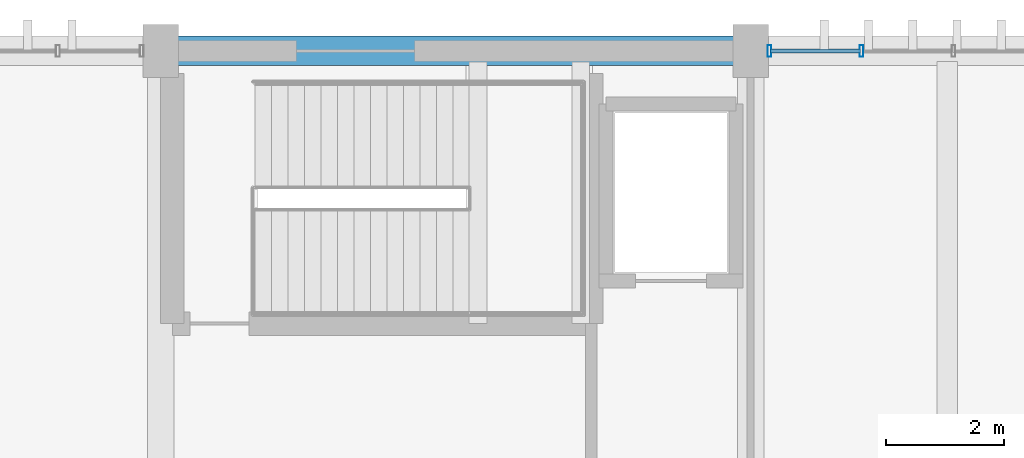
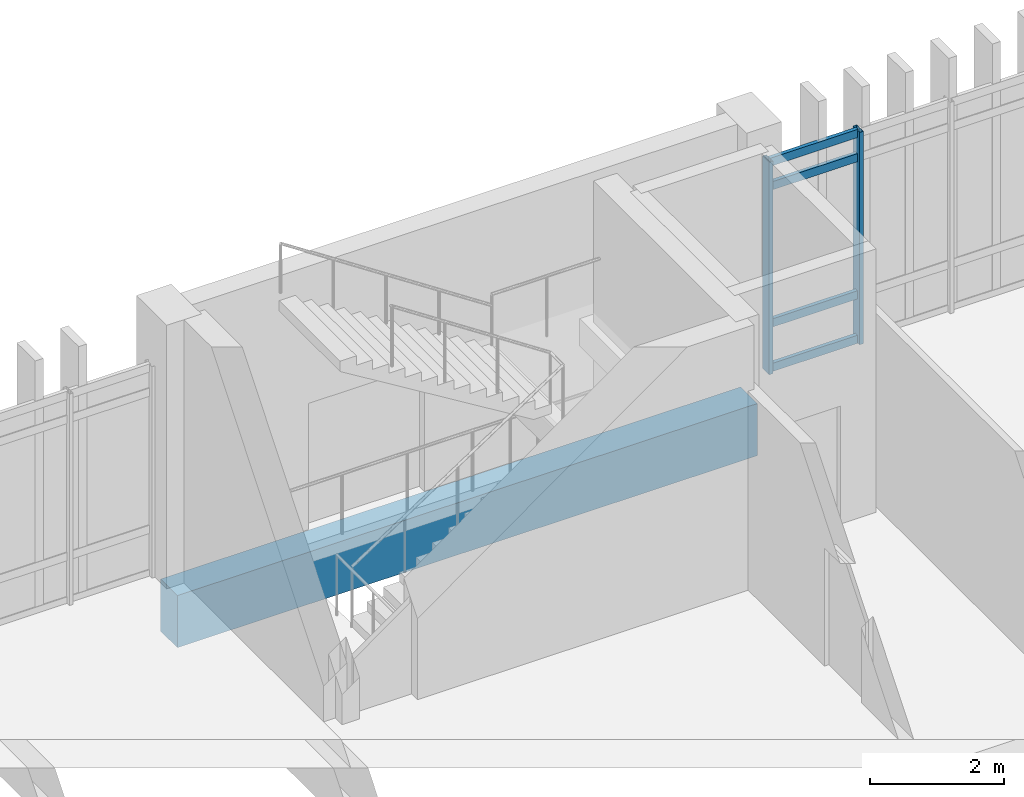
# One storey, part 50 of 87: 6 members, 1 beam, 1 element without a shape of its own.
"""IFC4 building model written with IfcOpenShell, lengths in metres."""

from ifc_helpers import new_model, si_unit, direction, frame, origin, origin_2d, place, context, subcontext, project, spatial, rectangle, hollow_rectangle, extrude, material, layer, layer_set, material_profile, profile_set, type_object, element, aggregate, save


model = new_model("IFC4")

# Units and contexts
model_context = context("Model", 3, precision=1e-05, world=origin(), true_north=direction((0.0, 1.0)))
body_context = subcontext(model_context, "Body", "Model", "MODEL_VIEW")
ifc_project = project(units=[si_unit("LENGTHUNIT", "METRE"), si_unit("AREAUNIT", "SQUARE_METRE"), si_unit("VOLUMEUNIT", "CUBIC_METRE"), si_unit("PLANEANGLEUNIT", "RADIAN"), si_unit("MASSUNIT", "GRAM", prefix="KILO")], contexts=[model_context])

# Site, building, storey
site_placement = place(None, origin())
site = spatial("IfcSite", under=ifc_project, at=site_placement, CompositionType="ELEMENT")
building_placement = place(site_placement, origin())
building = spatial("IfcBuilding", under=site, at=building_placement, Name="Mersad Railyard Sports Hall", CompositionType="ELEMENT")
storey_placement = place(building_placement, origin())
storey = spatial("IfcBuildingStorey", under=building, at=storey_placement, Name="L00", CompositionType="ELEMENT", Elevation=0.0)

# Curtain wall, members
ifc_material_1 = material(Name="Aluminium 6063-T6", Category="aluminium")
ifc_layer = layer(ifc_material_1, 0.199951171875)
ifc_layer_set = layer_set([ifc_layer], Name="Aluminium 6063-T6")
curtain_wall_type = type_object("IfcCurtainWallType", Name="ARC-CW-CW29", PredefinedType="USERDEFINED", material=ifc_layer_set)
curtain_wall_placement = place(storey_placement, origin())
curtain_wall = element("IfcCurtainWall", 1, at=curtain_wall_placement, inside=storey, type_object=curtain_wall_type, Name="Curtain wall CW29-0085", ObjectType="CURTAIN WALL", PredefinedType="USERDEFINED")
ifc_material_profile_1 = material_profile(ifc_material_1, hollow_rectangle(XDim=0.06494140625, YDim=0.199951171875, WallThickness=0.0048828125, at=origin_2d()), Name="AL MULLION 65x200x5")
ifc_profile_set_1 = profile_set([ifc_material_profile_1], Name="Aluminium 6063-T6")
member_type_1 = type_object("IfcMemberType", Name="ARC-CW-MUL02", PredefinedType="MULLION", material=ifc_profile_set_1)
member_1_placement = place(storey_placement, frame((101.320068359375, 115.0, -0.02001953125), z_axis=(0.0, 0.0, 1.0), x_axis=(1.0, 0.0, 0.0)))
member_1 = element("IfcMember", 2, at=member_1_placement, type_object=member_type_1, Name="CW29 Mullion 1", PredefinedType="MULLION", context=body_context, shape_type="SweptSolid", body=[
    extrude(hollow_rectangle(XDim=0.06494140625, YDim=0.199951171875, WallThickness=0.0048828125, at=origin_2d()), origin(), (0.0, 0.0, 1.0), 3.8701171875),
])
member_2_placement = place(storey_placement, frame((102.8798828125, 115.0, -0.02001953125), z_axis=(0.0, 0.0, 1.0), x_axis=(1.0, 0.0, 0.0)))
member_2 = element("IfcMember", 3, at=member_2_placement, type_object=member_type_1, Name="CW29 Mullion 2", PredefinedType="MULLION", context=body_context, shape_type="SweptSolid", body=[
    extrude(hollow_rectangle(XDim=0.06494140625, YDim=0.199951171875, WallThickness=0.0048828125, at=origin_2d()), origin(), (0.0, 0.0, 1.0), 3.8701171875),
])
ifc_material_profile_2 = material_profile(ifc_material_1, hollow_rectangle(XDim=0.06494140625, YDim=0.14990234375, WallThickness=0.00439453125, at=origin_2d()), Name="AL TRANSOM 65x150x4.5")
ifc_profile_set_2 = profile_set([ifc_material_profile_2], Name="Aluminium 6063-T6")
member_type_2 = type_object("IfcMemberType", Name="ARC-CW-TRN02", PredefinedType="USERDEFINED", material=ifc_profile_set_2)
member_3_placement = place(storey_placement, frame((101.340087890625, 115.0, 0.0400390625), z_axis=(1.0, 0.0, 0.0), x_axis=(0.0, 1.0, 0.0)))
member_3 = element("IfcMember", 4, at=member_3_placement, type_object=member_type_2, Name="CW29 Transom 1-1", ObjectType="TRANSOM", PredefinedType="USERDEFINED", context=body_context, shape_type="SweptSolid", body=[
    extrude(hollow_rectangle(XDim=0.06494140625, YDim=0.14990234375, WallThickness=0.00439453125, at=origin_2d()), origin(), (0.0, 0.0, 1.0), 1.52001953125),
])
member_4_placement = place(storey_placement, frame((101.340087890625, 115.0, 0.85009765625), z_axis=(1.0, 0.0, 0.0), x_axis=(0.0, 1.0, 0.0)))
member_4 = element("IfcMember", 5, at=member_4_placement, type_object=member_type_2, Name="CW29 Transom 2-1", ObjectType="TRANSOM", PredefinedType="USERDEFINED", context=body_context, shape_type="SweptSolid", body=[
    extrude(hollow_rectangle(XDim=0.06494140625, YDim=0.14990234375, WallThickness=0.00439453125, at=origin_2d()), origin(), (0.0, 0.0, 1.0), 1.52001953125),
])
member_5_placement = place(storey_placement, frame((101.340087890625, 115.0, 3.35009765625), z_axis=(1.0, 0.0, 0.0), x_axis=(0.0, 1.0, 0.0)))
member_5 = element("IfcMember", 6, at=member_5_placement, type_object=member_type_2, Name="CW29 Transom 3-1", ObjectType="TRANSOM", PredefinedType="USERDEFINED", context=body_context, shape_type="SweptSolid", body=[
    extrude(hollow_rectangle(XDim=0.06494140625, YDim=0.14990234375, WallThickness=0.00439453125, at=origin_2d()), origin(), (0.0, 0.0, 1.0), 1.52001953125),
])
member_6_placement = place(storey_placement, frame((101.340087890625, 115.0, 3.7900390625), z_axis=(1.0, 0.0, 0.0), x_axis=(0.0, 1.0, 0.0)))
member_6 = element("IfcMember", 7, at=member_6_placement, type_object=member_type_2, Name="CW29 Transom 4-1", ObjectType="TRANSOM", PredefinedType="USERDEFINED", context=body_context, shape_type="SweptSolid", body=[
    extrude(hollow_rectangle(XDim=0.06494140625, YDim=0.14990234375, WallThickness=0.00439453125, at=origin_2d()), origin(), (0.0, 0.0, 1.0), 1.52001953125),
])
aggregate(curtain_wall, [member_1, member_2, member_3, member_4, member_5, member_6])

# Beam
ifc_material_2 = material(Name="Concrete C50/60", Category="concrete")
ifc_material_profile_3 = material_profile(ifc_material_2, rectangle(XDim=0.5, YDim=0.949951171875, at=origin_2d()), Name="RC 500x950")
ifc_profile_set_3 = profile_set([ifc_material_profile_3], Name="Concrete C50/60")
beam_type = type_object("IfcBeamType", Name="STR-BM-B03", PredefinedType="BEAM", material=ifc_profile_set_3)
beam_placement = place(storey_placement, frame((91.0, 115.0, -0.824951171875), z_axis=(1.0, 0.0, 0.0), x_axis=(0.0, 1.0, 0.0)))
element("IfcBeam", 8, at=beam_placement, inside=storey, type_object=beam_type, Name="Beam B03-0170", PredefinedType="BEAM", context=body_context, shape_type="SweptSolid", body=[
    extrude(rectangle(XDim=0.5, YDim=0.949951171875, at=origin_2d()), origin(), (0.0, 0.0, 1.0), 10.0),
])

save(model, "model.ifc")
